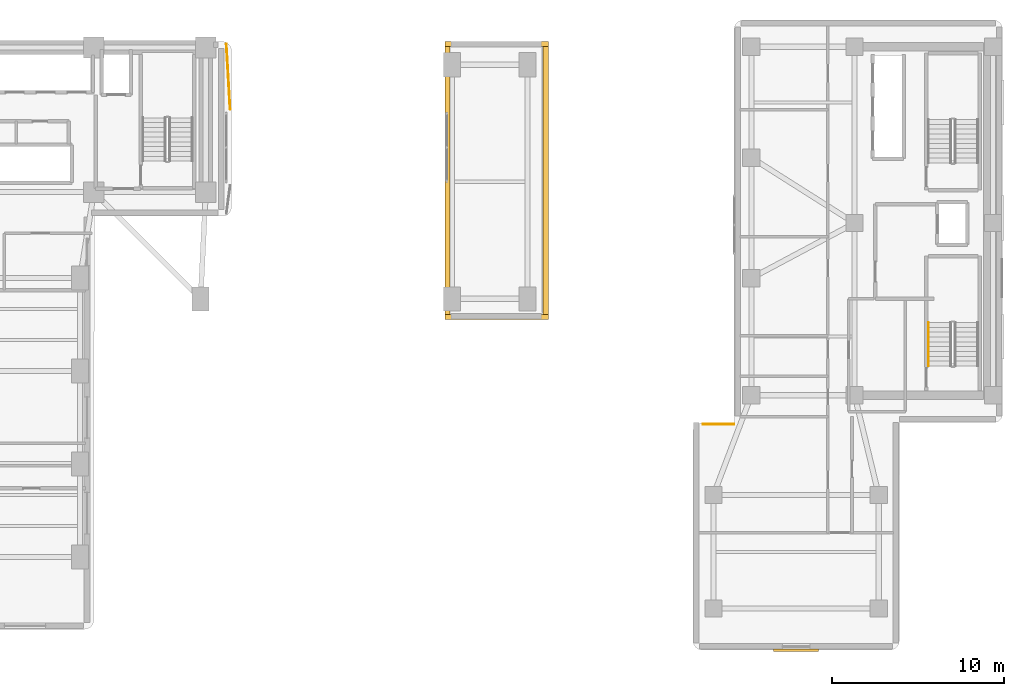
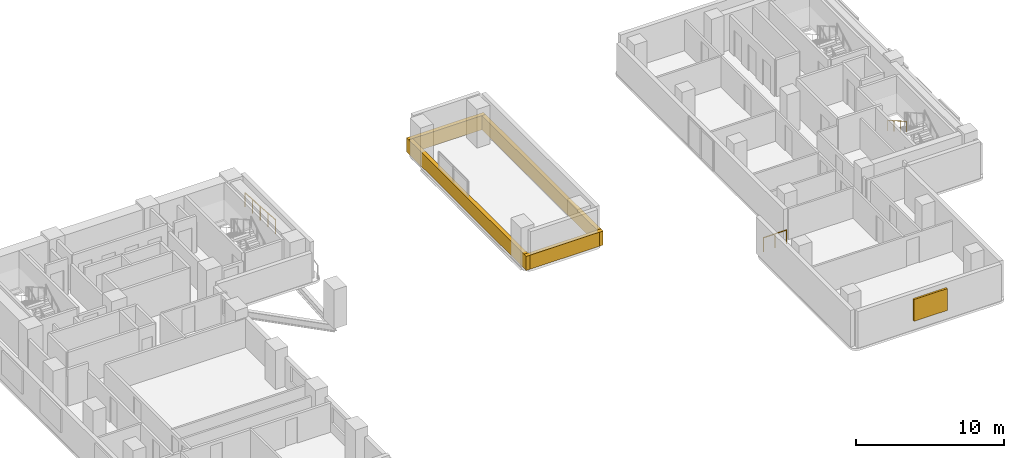
# One storey, part 13 of 14: 4 coverings, 3 railings, 1 shading device.
"""IFC4 building model written with IfcOpenShell, lengths in metres."""

from ifc_helpers import new_model, si_unit, direction, frame, origin, origin_2d, place, context, subcontext, project, spatial, rectangle, circle, extrude, material, layer, layer_set, type_object, element, save


model = new_model("IFC4")

# Units and contexts
model_context = context("Model", 3, precision=1e-05, world=origin(), true_north=direction((0.0, 1.0)))
body_context = subcontext(model_context, "Body", "Model", "MODEL_VIEW")
ifc_project = project(units=[si_unit("LENGTHUNIT", "METRE"), si_unit("AREAUNIT", "SQUARE_METRE"), si_unit("VOLUMEUNIT", "CUBIC_METRE"), si_unit("PLANEANGLEUNIT", "RADIAN"), si_unit("MASSUNIT", "GRAM", prefix="KILO")], contexts=[model_context])

# Site, building, storey
site_placement = place(None, origin())
site = spatial("IfcSite", under=ifc_project, at=site_placement, CompositionType="ELEMENT")
building_placement = place(site_placement, origin())
building = spatial("IfcBuilding", under=site, at=building_placement, Name="Kuzgunbayir Cultural Tower", CompositionType="ELEMENT")
storey_placement = place(building_placement, frame((0.0, 0.0, 33.39990234375)))
storey = spatial("IfcBuildingStorey", under=building, at=storey_placement, Name="L08", CompositionType="ELEMENT", Elevation=33.39990234375)

# Coverings
ifc_material_1 = material(Name="Anatolian Cream Limestone", Category="masonry")
ifc_layer_1 = layer(ifc_material_1, 0.06005859375)
ifc_layer_set_1 = layer_set([ifc_layer_1], Name="Anatolian Cream Limestone")
covering_type = type_object("IfcCoveringType", Name="COV-CLAD-LIMESTONE-6", PredefinedType="CLADDING", material=ifc_layer_set_1)
for number, where, z_axis, x_axis, name in (
    (1, (40.949951171875, 34.469970703125, -0.02001953125), (0.0, 0.0, 1.0), (1.0, 0.0, 0.0), "L08 Portal Cap West Coping Fascia"),
    (2, (46.64990234375, 34.469970703125, -0.02001953125), (0.0, 0.0, 1.0), (1.0, 0.0, 0.0), "L08 Portal Cap East Coping Fascia"),
):
    element("IfcCovering", number, at=place(storey_placement, frame(where, z_axis=z_axis, x_axis=x_axis)), inside=storey, type_object=covering_type, Name=name, PredefinedType="CLADDING", context=body_context, shape_type="SweptSolid", body=[
        extrude(rectangle(XDim=0.300048828125, YDim=16.14990234375, at=origin_2d()), origin(), (0.0, 0.0, 1.0), 1.159912109375),
    ])
for number, where, z_axis, x_axis, name in (
    (3, (43.800048828125, 26.550048828125, -0.02001953125), (0.0, 0.0, 1.0), (1.0, 0.0, 0.0), "L08 Portal Cap South Coping Fascia"),
    (4, (43.800048828125, 42.39990234375, -0.02001953125), (0.0, 0.0, 1.0), (1.0, 0.0, 0.0), "L08 Portal Cap North Coping Fascia"),
):
    element("IfcCovering", number, at=place(storey_placement, frame(where, z_axis=z_axis, x_axis=x_axis)), inside=storey, type_object=covering_type, Name=name, PredefinedType="CLADDING", context=body_context, shape_type="SweptSolid", body=[
        extrude(rectangle(XDim=6.0, YDim=0.300048828125, at=origin_2d()), origin(), (0.0, 0.0, 1.0), 1.159912109375),
    ])

# Railings
ifc_material_2 = material(Name="Laminated Glass and Stainless Steel", Category="steel")
ifc_layer_2 = layer(ifc_material_2, 0.080078125)
ifc_layer_set_2 = layer_set([ifc_layer_2], Name="Laminated Glass and Stainless Steel")
railing_type_1 = type_object("IfcRailingType", Name="RLG-BAL-115", PredefinedType="BALUSTRADE", material=ifc_layer_set_2)
railing_1_placement = place(storey_placement, frame((28.10009765625, 42.39990234375, 0.0)))
element("IfcRailing", 5, at=railing_1_placement, inside=storey, type_object=railing_type_1, Name="L08 Perimeter Edge Guard 1", PredefinedType="BALUSTRADE", context=body_context, shape_type="SweptSolid", body=[
    extrude(circle(Radius=0.02392578125, at=origin_2d()), frame((0.0, 0.0, 1.1259765625), z_axis=(0.058098313566, -0.998310866394, 0.0), x_axis=(0.998310866394, 0.058098313566, 0.0)), (0.0, 0.0, 1.0), 3.7861328125),
    extrude(circle(Radius=0.02099609375, at=origin_2d()), origin(), (0.0, 0.0, 1.0), 1.101806640625),
    extrude(circle(Radius=0.02099609375, at=origin_2d()), frame((0.054931640625, -0.94482421875, 0.0)), (0.0, 0.0, 1.0), 1.101806640625),
    extrude(circle(Radius=0.02099609375, at=origin_2d()), frame((0.10986328125, -1.889892578125, 0.0)), (0.0, 0.0, 1.0), 1.101806640625),
    extrude(circle(Radius=0.02099609375, at=origin_2d()), frame((0.1650390625, -2.8349609375, 0.0)), (0.0, 0.0, 1.0), 1.101806640625),
    extrude(circle(Radius=0.02099609375, at=origin_2d()), frame((0.219970703125, -3.77978515625, 0.0)), (0.0, 0.0, 1.0), 1.101806640625),
])
railing_2_placement = place(storey_placement, frame((55.7900390625, 20.320068359375, 0.0)))
element("IfcRailing", 6, at=railing_2_placement, inside=storey, type_object=railing_type_1, Name="L08 Perimeter Edge Guard 3", PredefinedType="BALUSTRADE", context=body_context, shape_type="SweptSolid", body=[
    extrude(circle(Radius=0.02392578125, at=origin_2d()), frame((0.0, 0.0, 1.1259765625), z_axis=(1.0, 0.0, 0.0), x_axis=(0.0, 1.0, 0.0)), (0.0, 0.0, 1.0), 1.81005859375),
    extrude(circle(Radius=0.02099609375, at=origin_2d()), origin(), (0.0, 0.0, 1.0), 1.101806640625),
    extrude(circle(Radius=0.02099609375, at=origin_2d()), frame((0.905029296875, 0.0, 0.0)), (0.0, 0.0, 1.0), 1.101806640625),
    extrude(circle(Radius=0.02099609375, at=origin_2d()), frame((1.81005859375, 0.0, 0.0)), (0.0, 0.0, 1.0), 1.101806640625),
])
ifc_material_3 = material(Name="Brushed Stainless Steel", Category="steel")
ifc_layer_3 = layer(ifc_material_3, 0.050048828125)
ifc_layer_set_3 = layer_set([ifc_layer_3], Name="Brushed Stainless Steel")
railing_type_2 = type_object("IfcRailingType", Name="RLG-STAIR-HANDRAIL", PredefinedType="HANDRAIL", material=ifc_layer_set_3)
railing_3_placement = place(storey_placement, frame((68.889892578125, 26.219970703125, 1.760009765625)))
element("IfcRailing", 7, at=railing_3_placement, inside=storey, type_object=railing_type_2, Name="L08 ST-3 stair handrail 2", PredefinedType="HANDRAIL", context=body_context, shape_type="SweptSolid", body=[
    extrude(circle(Radius=0.02392578125, at=origin_2d()), frame((0.0, 0.0, 0.8759765625), z_axis=(0.0, -0.868217259934, 0.496184229447), x_axis=(1.0, 0.0, 0.0)), (0.0, 0.0, 1.0), 2.902587890625),
    extrude(circle(Radius=0.02099609375, at=origin_2d()), origin(), (0.0, 0.0, 1.0), 0.851806640625),
    extrude(circle(Radius=0.02099609375, at=origin_2d()), frame((0.0, -0.840087890625, 0.47998046875)), (0.0, 0.0, 1.0), 0.851806640625),
    extrude(circle(Radius=0.02099609375, at=origin_2d()), frame((0.0, -1.679931640625, 0.960205078125)), (0.0, 0.0, 1.0), 0.851806640625),
    extrude(circle(Radius=0.02099609375, at=origin_2d()), frame((0.0, -2.52001953125, 1.440185546875)), (0.0, 0.0, 1.0), 0.851806640625),
])

# Shading device
ifc_material_4 = material(Name="Warm Terracotta Ceramic Baguette", Category="masonry")
shading_device_type = type_object("IfcShadingDeviceType", Name="SHD-SOLAR-CERAMIC", PredefinedType="SHUTTER", material=ifc_material_4)
shading_device_placement = place(storey_placement, frame((61.199951171875, 7.179931640625, 0.80029296875), z_axis=(0.0, 0.0, 1.0), x_axis=(1.0, 0.0, 0.0)))
element("IfcShadingDevice", 8, at=shading_device_placement, inside=storey, type_object=shading_device_type, Name="L08 Companion Ceramic Solar Screen S1", PredefinedType="SHUTTER", context=body_context, shape_type="SweptSolid", body=[
    extrude(rectangle(XDim=2.60009765625, YDim=0.159912109375, at=origin_2d()), origin(), (0.0, 0.0, 1.0), 1.800048828125),
])

save(model, "model.ifc")
